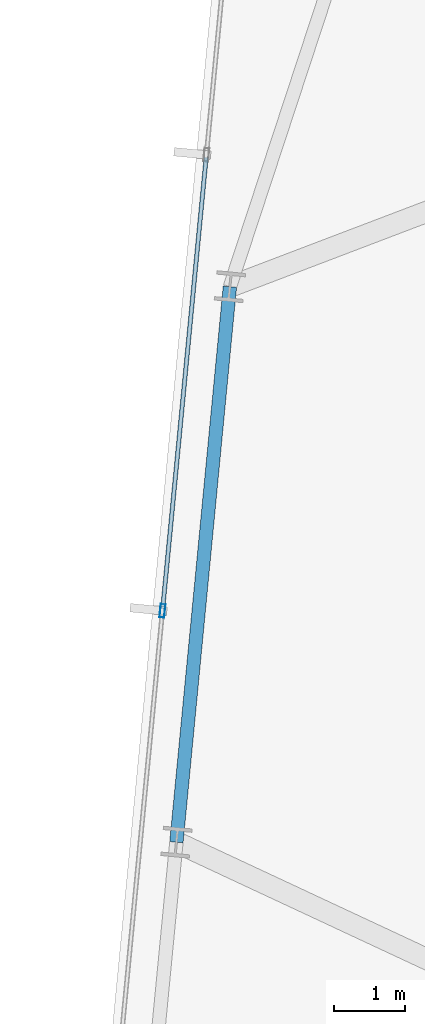
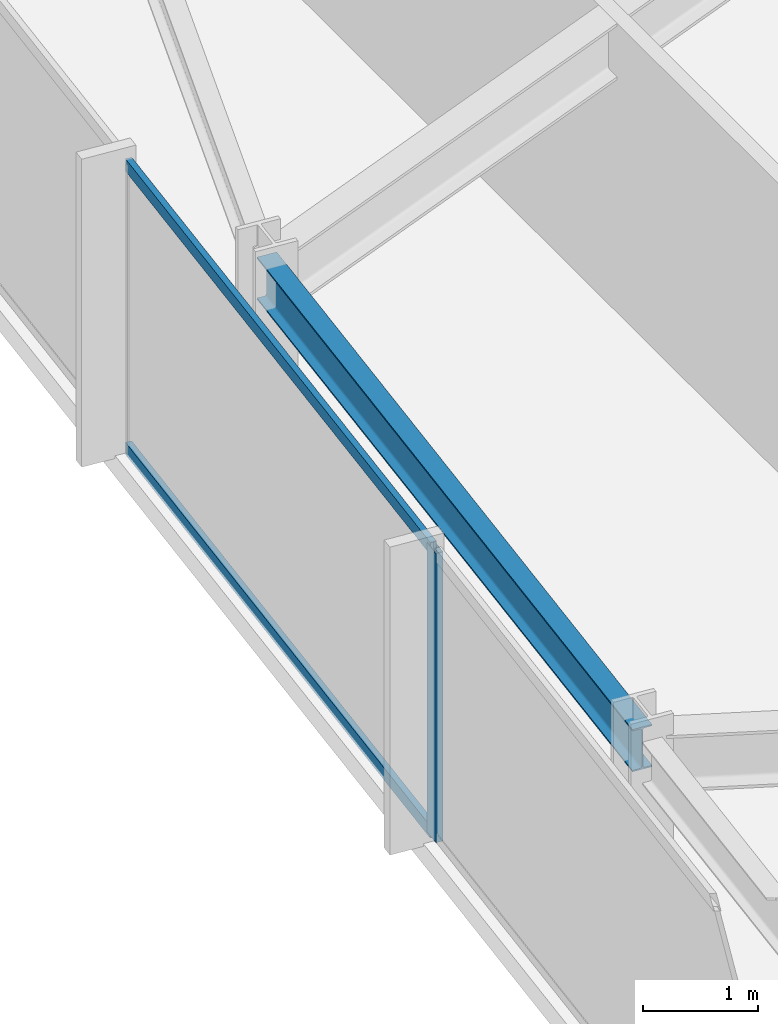
# One storey, part 10 of 37: 3 members, 1 beam, 1 element without a shape of its own.
"""IFC4 building model written with IfcOpenShell, lengths in metres."""

from ifc_helpers import new_model, si_unit, direction, frame, origin, origin_2d, place, context, subcontext, project, spatial, hollow_rectangle, i_section, extrude, material, material_profile, profile_set, type_object, element, aggregate, save


model = new_model("IFC4")

# Units and contexts
model_context = context("Model", 3, precision=1e-05, world=origin(), true_north=direction((0.0, 1.0)))
body_context = subcontext(model_context, "Body", "Model", "MODEL_VIEW")
ifc_project = project(units=[si_unit("LENGTHUNIT", "METRE"), si_unit("AREAUNIT", "SQUARE_METRE"), si_unit("VOLUMEUNIT", "CUBIC_METRE"), si_unit("PLANEANGLEUNIT", "RADIAN"), si_unit("MASSUNIT", "GRAM", prefix="KILO")], contexts=[model_context])

# Site, building, storey
site_placement = place(None, origin())
site = spatial("IfcSite", under=ifc_project, at=site_placement, CompositionType="ELEMENT")
building_placement = place(site_placement, origin())
building = spatial("IfcBuilding", under=site, at=building_placement, Name="Yelkora Congress Tower", CompositionType="ELEMENT")
storey_placement = place(building_placement, frame((0.0, 0.0, 165.5)))
storey = spatial("IfcBuildingStorey", under=building, at=storey_placement, Name="L45", CompositionType="ELEMENT", Elevation=165.5)

# Beam
ifc_material_1 = material(Name="Steel S355J2", Category="steel")
ifc_material_profile_1 = material_profile(ifc_material_1, i_section(OverallWidth=0.18994140625, OverallDepth=0.449951171875, WebThickness=0.009521484375, FlangeThickness=0.0146484375, FilletRadius=0.02099609375, at=origin_2d()), Name="IPE 450")
ifc_profile_set_1 = profile_set([ifc_material_profile_1], Name="Steel S355J2")
beam_type = type_object("IfcBeamType", Name="BM-SPAN-IPE450", PredefinedType="SPANDREL", material=ifc_profile_set_1)
beam_placement = place(storey_placement, frame((4.121826171875, 40.4580078125, 2.85498046875), z_axis=(-0.095864922257, -0.995394352345, 0.0), x_axis=(0.995394352345, -0.095864922257, 0.0)))
element("IfcBeam", 1, at=beam_placement, inside=storey, type_object=beam_type, Name="L45 Perimeter Beam 17", PredefinedType="SPANDREL", context=body_context, shape_type="SweptSolid", body=[
    extrude(i_section(OverallWidth=0.18994140625, OverallDepth=0.449951171875, WebThickness=0.009521484375, FlangeThickness=0.0146484375, FilletRadius=0.02099609375, at=origin_2d()), origin(), (0.0, 0.0, 1.0), 7.89990234375),
])

# Curtain wall, members
ifc_material_2 = material(Name="Anodised aluminium and insulated glass", Category="aluminium")
curtain_wall_type = type_object("IfcCurtainWallType", Name="CW-SYS-B3", PredefinedType="NOTDEFINED", material=ifc_material_2)
curtain_wall_placement = place(storey_placement, origin())
curtain_wall = element("IfcCurtainWall", 2, at=curtain_wall_placement, inside=storey, type_object=curtain_wall_type, Name="L45 Unitised Curtain Wall 5", PredefinedType="NOTDEFINED")
ifc_material_3 = material(Name="Anodised aluminium 6063-T6", Category="aluminium")
ifc_material_profile_2 = material_profile(ifc_material_3, hollow_rectangle(XDim=0.070068359375, YDim=0.18994140625, WallThickness=0.00390625, at=origin_2d()), Name="ALU 70x190x4")
ifc_profile_set_2 = profile_set([ifc_material_profile_2], Name="Anodised aluminium 6063-T6")
member_type_1 = type_object("IfcMemberType", Name="MEM-ML-B3", PredefinedType="MULLION", material=ifc_profile_set_2)
member_1_placement = place(storey_placement, frame((3.167724609375, 35.870361328125, 0.0), z_axis=(0.0, 0.0, 1.0), x_axis=(-0.995396242473, 0.095845294465, 0.0)))
member_1 = element("IfcMember", 3, at=member_1_placement, type_object=member_type_1, Name="CW-B3 mullion 4", PredefinedType="MULLION", context=body_context, shape_type="SweptSolid", body=[
    extrude(hollow_rectangle(XDim=0.070068359375, YDim=0.18994140625, WallThickness=0.00390625, at=origin_2d()), origin(), (0.0, 0.0, 1.0), 3.080078125),
])
ifc_material_profile_3 = material_profile(ifc_material_3, hollow_rectangle(XDim=0.06005859375, YDim=0.1298828125, WallThickness=0.00390625, at=origin_2d()), Name="ALU 60x130x4")
ifc_profile_set_3 = profile_set([ifc_material_profile_3], Name="Anodised aluminium 6063-T6")
member_type_2 = type_object("IfcMemberType", Name="MEM-TR-B3", PredefinedType="USERDEFINED", material=ifc_profile_set_3)
member_2_placement = place(storey_placement, frame((3.171142578125, 35.9052734375, 0.030029296875), z_axis=(0.095847313538, 0.995396048057, 0.0), x_axis=(-0.995396048057, 0.095847313538, 0.0)))
member_2 = element("IfcMember", 4, at=member_2_placement, type_object=member_type_2, Name="CW-B3 transom 4.1", ObjectType="TRANSOM", PredefinedType="USERDEFINED", context=body_context, shape_type="SweptSolid", body=[
    extrude(hollow_rectangle(XDim=0.06005859375, YDim=0.1298828125, WallThickness=0.00390625, at=origin_2d()), origin(), (0.0, 0.0, 1.0), 6.413818359375),
])
member_3_placement = place(storey_placement, frame((3.171142578125, 35.9052734375, 3.050048828125), z_axis=(0.095847313538, 0.995396048057, 0.0), x_axis=(-0.995396048057, 0.095847313538, 0.0)))
member_3 = element("IfcMember", 5, at=member_3_placement, type_object=member_type_2, Name="CW-B3 transom 4.2", ObjectType="TRANSOM", PredefinedType="USERDEFINED", context=body_context, shape_type="SweptSolid", body=[
    extrude(hollow_rectangle(XDim=0.06005859375, YDim=0.1298828125, WallThickness=0.00390625, at=origin_2d()), origin(), (0.0, 0.0, 1.0), 6.413818359375),
])
aggregate(curtain_wall, [member_1, member_2, member_3])

save(model, "model.ifc")
